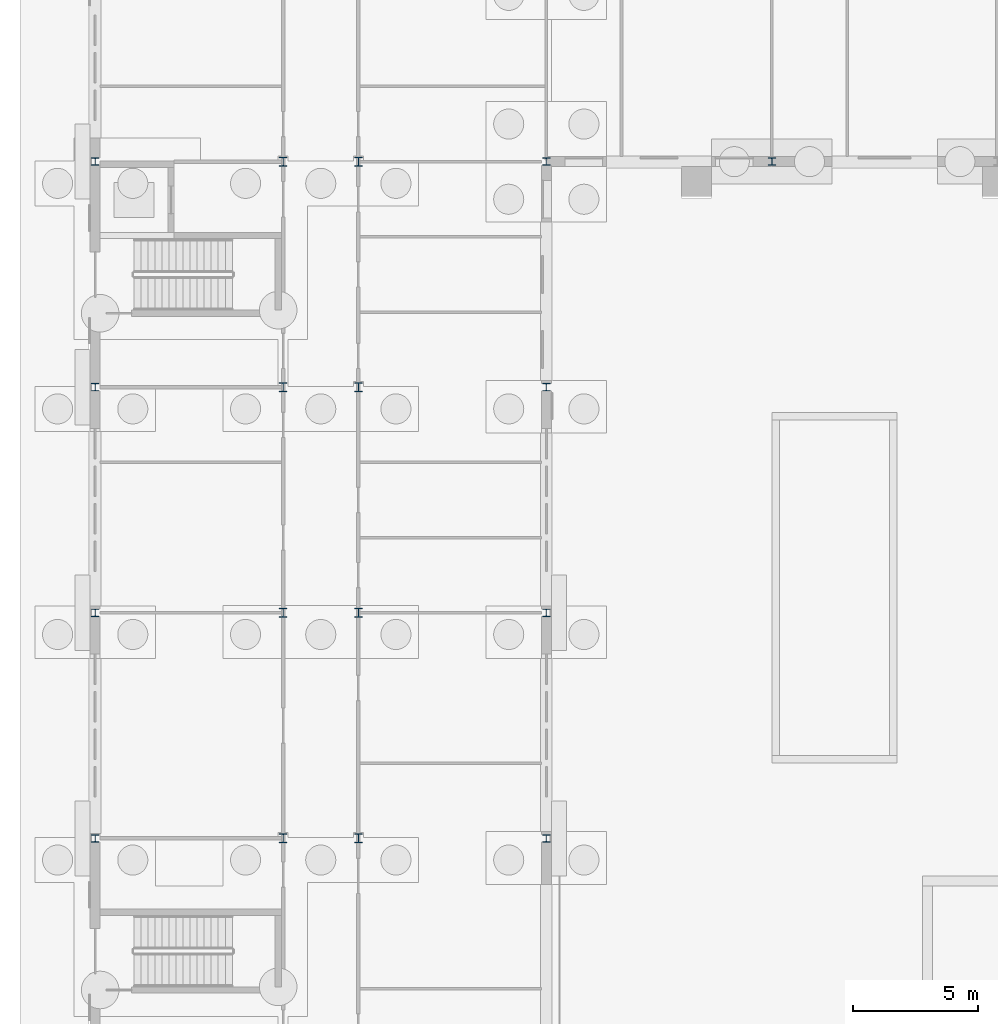
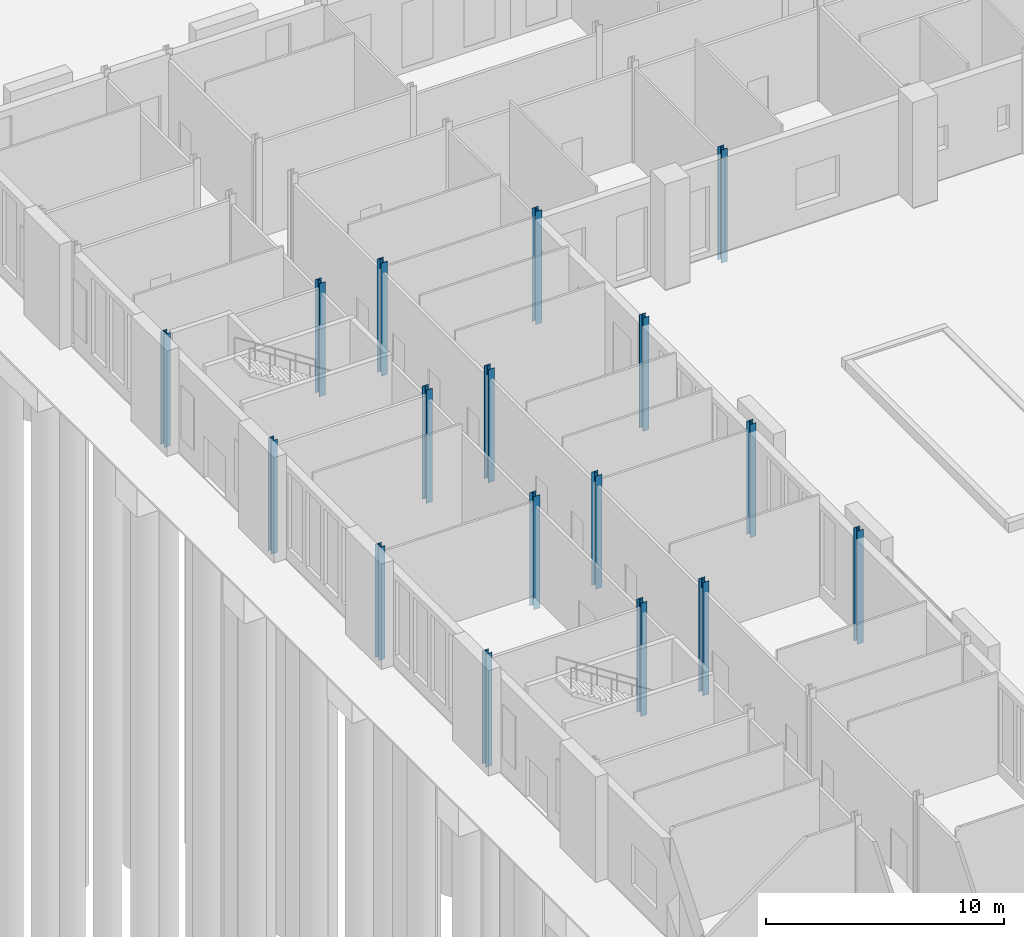
# One storey, part 18 of 168: 17 columns.
"""IFC4 building model written with IfcOpenShell, lengths in metres."""

from ifc_helpers import new_model, si_unit, direction, frame, origin, origin_2d, place, context, subcontext, project, spatial, i_section, extrude, material, material_profile, profile_set, type_object, element, save


model = new_model("IFC4")

# Units and contexts
model_context = context("Model", 3, precision=1e-05, world=origin(), true_north=direction((0.0, 1.0)))
body_context = subcontext(model_context, "Body", "Model", "MODEL_VIEW")
ifc_project = project(units=[si_unit("LENGTHUNIT", "METRE"), si_unit("AREAUNIT", "SQUARE_METRE"), si_unit("VOLUMEUNIT", "CUBIC_METRE"), si_unit("PLANEANGLEUNIT", "RADIAN"), si_unit("MASSUNIT", "GRAM", prefix="KILO")], contexts=[model_context])

# Site, building, storey
site_placement = place(None, origin())
site = spatial("IfcSite", under=ifc_project, at=site_placement, CompositionType="ELEMENT")
building_placement = place(site_placement, origin())
building = spatial("IfcBuilding", under=site, at=building_placement, Name="Golden Quay Civic Hall", CompositionType="ELEMENT")
storey_placement = place(building_placement, origin())
storey = spatial("IfcBuildingStorey", under=building, at=storey_placement, Name="L00", CompositionType="ELEMENT", Elevation=0.0)

# Columns
ifc_material_1 = material(Name="Steel S355", Category="steel")
ifc_material_profile_1 = material_profile(ifc_material_1, i_section(OverallWidth=0.300048828125, OverallDepth=0.300048828125, WebThickness=0.010986328125, FlangeThickness=0.01904296875, FilletRadius=0.027099609375, at=origin_2d()), Name="HEB 300")
ifc_profile_set_1 = profile_set([ifc_material_profile_1], Name="Steel S355")
column_type_1 = type_object("IfcColumnType", Name="Steel column HEB 300", PredefinedType="COLUMN", material=ifc_profile_set_1)
for number, where, z_axis, x_axis, name in (
    (1, (0.0, 36.0, -0.60009765625), (0.0, 0.0, 1.0), (1.0, 0.0, 0.0), "Column 0/36 L00"),
    (2, (0.0, 45.0, -0.60009765625), (0.0, 0.0, 1.0), (1.0, 0.0, 0.0), "Column 0/45 L00"),
    (3, (0.0, 54.0, -0.60009765625), (0.0, 0.0, 1.0), (1.0, 0.0, 0.0), "Column 0/54 L00"),
    (4, (0.0, 63.0, -0.60009765625), (0.0, 0.0, 1.0), (1.0, 0.0, 0.0), "Column 0/63 L00"),
    (5, (18.0, 36.0, -0.60009765625), (0.0, 0.0, 1.0), (1.0, 0.0, 0.0), "Column 18/36 L00"),
    (6, (18.0, 45.0, -0.60009765625), (0.0, 0.0, 1.0), (1.0, 0.0, 0.0), "Column 18/45 L00"),
    (7, (18.0, 54.0, -0.60009765625), (0.0, 0.0, 1.0), (1.0, 0.0, 0.0), "Column 18/54 L00"),
    (8, (18.0, 63.0, -0.60009765625), (0.0, 0.0, 1.0), (1.0, 0.0, 0.0), "Column 18/63 L00"),
    (9, (27.0, 63.0, -0.60009765625), (0.0, 0.0, 1.0), (1.0, 0.0, 0.0), "Column 27/63 L00"),
):
    element("IfcColumn", number, at=place(storey_placement, frame(where, z_axis=z_axis, x_axis=x_axis)), inside=storey, type_object=column_type_1, Name=name, PredefinedType="COLUMN", context=body_context, shape_type="SweptSolid", body=[
        extrude(i_section(OverallWidth=0.300048828125, OverallDepth=0.300048828125, WebThickness=0.010986328125, FlangeThickness=0.01904296875, FilletRadius=0.027099609375, at=origin_2d()), origin(), (0.0, 0.0, 1.0), 5.800048828125),
    ])
ifc_material_2 = material(Name="Steel S355", Category="steel")
ifc_material_profile_2 = material_profile(ifc_material_2, i_section(OverallWidth=0.300048828125, OverallDepth=0.360107421875, WebThickness=0.012451171875, FlangeThickness=0.0224609375, FilletRadius=0.027099609375, at=origin_2d()), Name="HEB 360")
ifc_profile_set_2 = profile_set([ifc_material_profile_2], Name="Steel S355")
column_type_2 = type_object("IfcColumnType", Name="Steel column HEB 360", PredefinedType="COLUMN", material=ifc_profile_set_2)
for number, where, z_axis, x_axis, name in (
    (10, (7.5, 36.0, -0.60009765625), (0.0, 0.0, 1.0), (1.0, 0.0, 0.0), "Column 7.5/36 L00"),
    (11, (7.5, 45.0, -0.60009765625), (0.0, 0.0, 1.0), (1.0, 0.0, 0.0), "Column 7.5/45 L00"),
    (12, (7.5, 54.0, -0.60009765625), (0.0, 0.0, 1.0), (1.0, 0.0, 0.0), "Column 7.5/54 L00"),
    (13, (7.5, 63.0, -0.60009765625), (0.0, 0.0, 1.0), (1.0, 0.0, 0.0), "Column 7.5/63 L00"),
    (14, (10.5, 36.0, -0.60009765625), (0.0, 0.0, 1.0), (1.0, 0.0, 0.0), "Column 10.5/36 L00"),
    (15, (10.5, 45.0, -0.60009765625), (0.0, 0.0, 1.0), (1.0, 0.0, 0.0), "Column 10.5/45 L00"),
    (16, (10.5, 54.0, -0.60009765625), (0.0, 0.0, 1.0), (1.0, 0.0, 0.0), "Column 10.5/54 L00"),
    (17, (10.5, 63.0, -0.60009765625), (0.0, 0.0, 1.0), (1.0, 0.0, 0.0), "Column 10.5/63 L00"),
):
    element("IfcColumn", number, at=place(storey_placement, frame(where, z_axis=z_axis, x_axis=x_axis)), inside=storey, type_object=column_type_2, Name=name, PredefinedType="COLUMN", context=body_context, shape_type="SweptSolid", body=[
        extrude(i_section(OverallWidth=0.300048828125, OverallDepth=0.360107421875, WebThickness=0.012451171875, FlangeThickness=0.0224609375, FilletRadius=0.027099609375, at=origin_2d()), origin(), (0.0, 0.0, 1.0), 5.800048828125),
    ])

save(model, "model.ifc")
